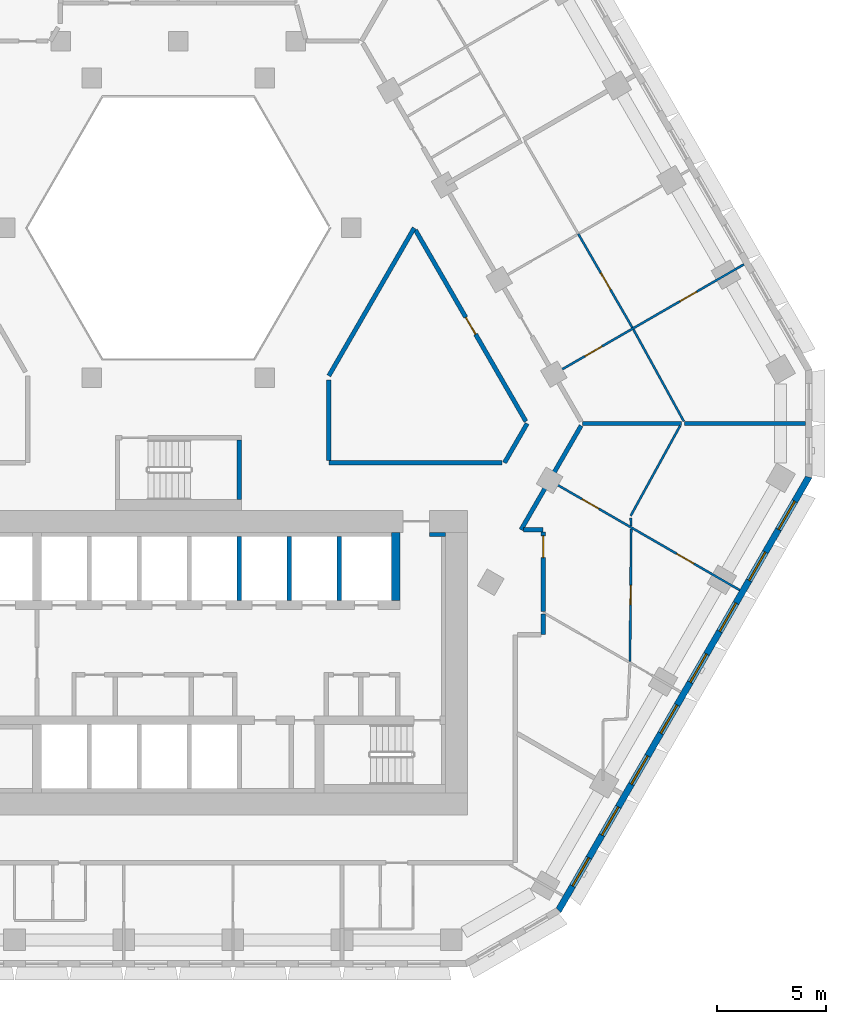
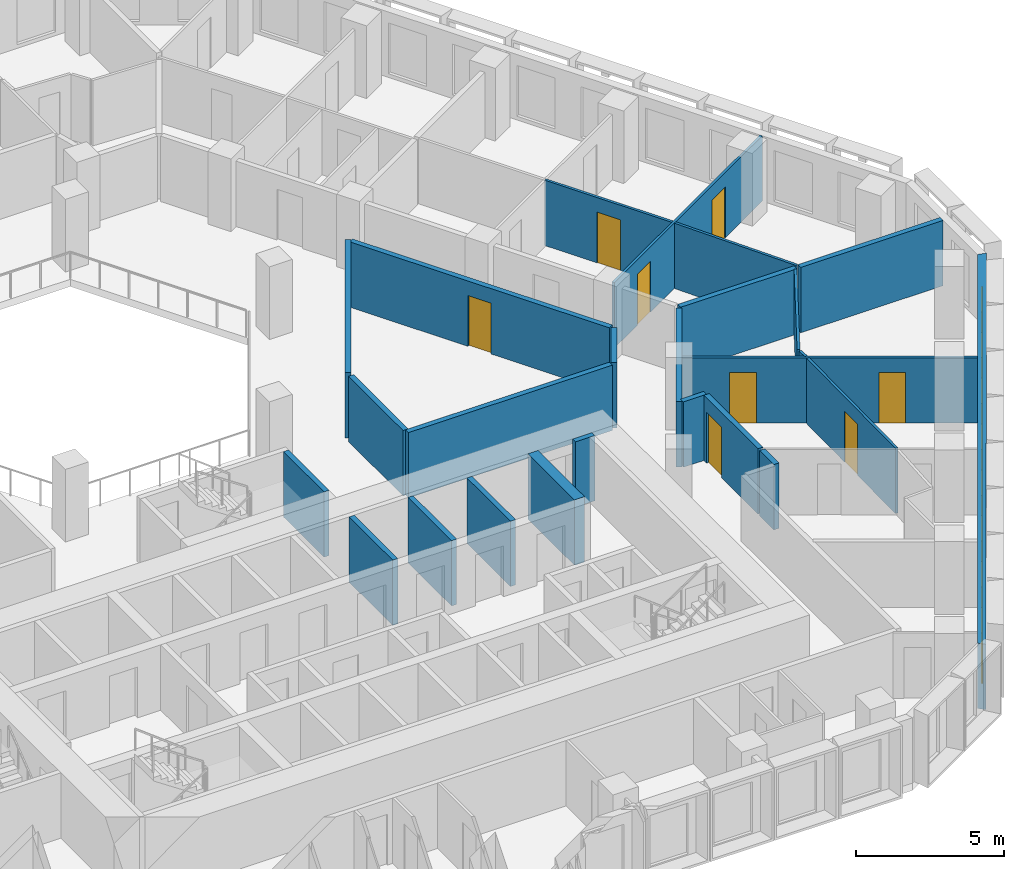
# One storey, part 7 of 18: 25 walls, 8 doors, 8 windows, 16 openings.
"""IFC4 building model written with IfcOpenShell, lengths in metres."""

from ifc_helpers import new_model, si_unit, direction, frame, frame_2d, origin, place, context, subcontext, project, spatial, polyline, rectangle, outline, extrude, material, layer, layer_set, type_object, element, fill, save


model = new_model("IFC4")

# Units and contexts
model_context = context("Model", 3, precision=1e-05, world=origin(), true_north=direction((0.0, 1.0)))
body_context = subcontext(model_context, "Body", "Model", "MODEL_VIEW")
ifc_project = project(units=[si_unit("LENGTHUNIT", "METRE"), si_unit("AREAUNIT", "SQUARE_METRE"), si_unit("VOLUMEUNIT", "CUBIC_METRE"), si_unit("PLANEANGLEUNIT", "RADIAN"), si_unit("MASSUNIT", "GRAM", prefix="KILO")], contexts=[model_context])

# Site, building, storey
site_placement = place(None, origin())
site = spatial("IfcSite", under=ifc_project, at=site_placement, CompositionType="ELEMENT")
building_placement = place(site_placement, origin())
building = spatial("IfcBuilding", under=site, at=building_placement, Name="Beryl Residences", CompositionType="ELEMENT")
storey_placement = place(building_placement, frame((0.0, 0.0, 93.0)))
storey = spatial("IfcBuildingStorey", under=building, at=storey_placement, Name="L28", CompositionType="ELEMENT", Elevation=93.0)

# Wall, openings, windows
ifc_material_1 = material(Name="Composite metal panel with mineral wool insulation")
ifc_layer_1 = layer(ifc_material_1, 0.300048828125)
ifc_layer_set_1 = layer_set([ifc_layer_1], Name="ES1 pale metal composite panel wall 300 mm")
wall_type_1 = type_object("IfcWallType", Name="ES1 pale metal composite panel wall 300 mm", PredefinedType="SOLIDWALL", material=ifc_layer_set_1)
wall_1_placement = place(storey_placement, frame((17.47900390625, -23.425048828125, 0.0), z_axis=(0.0, 0.0, 1.0), x_axis=(0.500035407905, 0.866004960056, 0.0)))
wall_1 = element("IfcWall", 1, at=wall_1_placement, inside=storey, type_object=wall_type_1, Name="ES1 external wall L28 SE", PredefinedType="SOLIDWALL", context=body_context, shape_type="SweptSolid", body=[
    extrude(outline(polyline([(0.0, -0.14990234375), (23.094482421875, -0.14990234375), (23.01416015625, 0.14990234375), (0.080322265625, 0.14990234375), (0.0, -0.14990234375)])), origin(), (0.0, 0.0, 1.0), 2.699951171875),
])
opening_1_placement = place(wall_1_placement, frame((1.323974609375, 0.0, 0.14990234375)))
opening_1 = element("IfcOpeningElement", 2, at=opening_1_placement, cuts=wall_1, Name="Opening W1", PredefinedType="OPENING", context=body_context, shape_type="SweptSolid", body=[
    extrude(rectangle(XDim=1.5, YDim=2.10009765625, at=frame_2d((0.75, 1.050048828125))), frame((0.0, 0.159912109375, 0.0), z_axis=(0.0, -1.0, 0.0), x_axis=(1.0, 0.0, 0.0)), (0.0, 0.0, 1.0), 0.320068359375),
])
opening_2_placement = place(wall_1_placement, frame((4.031005859375, 0.0, 0.14990234375)))
opening_2 = element("IfcOpeningElement", 3, at=opening_2_placement, cuts=wall_1, Name="Opening W1", PredefinedType="OPENING", context=body_context, shape_type="SweptSolid", body=[
    extrude(rectangle(XDim=1.5, YDim=2.10009765625, at=frame_2d((0.75, 1.050048828125))), frame((0.0, 0.159912109375, 0.0), z_axis=(0.0, -1.0, 0.0), x_axis=(1.0, 0.0, 0.0)), (0.0, 0.0, 1.0), 0.320068359375),
])
opening_3_placement = place(wall_1_placement, frame((6.737060546875, 0.0, 0.14990234375)))
opening_3 = element("IfcOpeningElement", 4, at=opening_3_placement, cuts=wall_1, Name="Opening W1", PredefinedType="OPENING", context=body_context, shape_type="SweptSolid", body=[
    extrude(rectangle(XDim=1.5, YDim=2.10009765625, at=frame_2d((0.75, 1.050048828125))), frame((0.0, 0.159912109375, 0.0), z_axis=(0.0, -1.0, 0.0), x_axis=(1.0, 0.0, 0.0)), (0.0, 0.0, 1.0), 0.320068359375),
])
opening_4_placement = place(wall_1_placement, frame((9.444091796875, 0.0, 0.14990234375)))
opening_4 = element("IfcOpeningElement", 5, at=opening_4_placement, cuts=wall_1, Name="Opening W1", PredefinedType="OPENING", context=body_context, shape_type="SweptSolid", body=[
    extrude(rectangle(XDim=1.5, YDim=2.10009765625, at=frame_2d((0.75, 1.050048828125))), frame((0.0, 0.159912109375, 0.0), z_axis=(0.0, -1.0, 0.0), x_axis=(1.0, 0.0, 0.0)), (0.0, 0.0, 1.0), 0.320068359375),
])
opening_5_placement = place(wall_1_placement, frame((12.15087890625, 0.0, 0.14990234375)))
opening_5 = element("IfcOpeningElement", 6, at=opening_5_placement, cuts=wall_1, Name="Opening W1", PredefinedType="OPENING", context=body_context, shape_type="SweptSolid", body=[
    extrude(rectangle(XDim=1.5, YDim=2.10009765625, at=frame_2d((0.75, 1.050048828125))), frame((0.0, 0.159912109375, 0.0), z_axis=(0.0, -1.0, 0.0), x_axis=(1.0, 0.0, 0.0)), (0.0, 0.0, 1.0), 0.320068359375),
])
opening_6_placement = place(wall_1_placement, frame((14.85693359375, 0.0, 0.14990234375)))
opening_6 = element("IfcOpeningElement", 7, at=opening_6_placement, cuts=wall_1, Name="Opening W1", PredefinedType="OPENING", context=body_context, shape_type="SweptSolid", body=[
    extrude(rectangle(XDim=1.5, YDim=2.10009765625, at=frame_2d((0.75, 1.050048828125))), frame((0.0, 0.159912109375, 0.0), z_axis=(0.0, -1.0, 0.0), x_axis=(1.0, 0.0, 0.0)), (0.0, 0.0, 1.0), 0.320068359375),
])
opening_7_placement = place(wall_1_placement, frame((17.56396484375, 0.0, 0.14990234375)))
opening_7 = element("IfcOpeningElement", 8, at=opening_7_placement, cuts=wall_1, Name="Opening W1", PredefinedType="OPENING", context=body_context, shape_type="SweptSolid", body=[
    extrude(rectangle(XDim=1.5, YDim=2.10009765625, at=frame_2d((0.75, 1.050048828125))), frame((0.0, 0.159912109375, 0.0), z_axis=(0.0, -1.0, 0.0), x_axis=(1.0, 0.0, 0.0)), (0.0, 0.0, 1.0), 0.320068359375),
])
opening_8_placement = place(wall_1_placement, frame((20.27099609375, 0.0, 0.14990234375)))
opening_8 = element("IfcOpeningElement", 9, at=opening_8_placement, cuts=wall_1, Name="Opening W1", PredefinedType="OPENING", context=body_context, shape_type="SweptSolid", body=[
    extrude(rectangle(XDim=1.5, YDim=2.10009765625, at=frame_2d((0.75, 1.050048828125))), frame((0.0, 0.159912109375, 0.0), z_axis=(0.0, -1.0, 0.0), x_axis=(1.0, 0.0, 0.0)), (0.0, 0.0, 1.0), 0.320068359375),
])
ifc_material_2 = material(Name="Aluminium and clear glass", Category="aluminium")
window_type = type_object("IfcWindowType", Name="W1 cell window 1500 x 2100 mm", PartitioningType="SINGLE_PANEL", PredefinedType="WINDOW", material=ifc_material_2)
window_1_placement = place(opening_1_placement, origin())
window_1 = element("IfcWindow", 10, at=window_1_placement, inside=storey, type_object=window_type, Name="W1 window L28 SE 1", OverallHeight=2.10009765625, OverallWidth=1.5, PartitioningType="SINGLE_PANEL", PredefinedType="WINDOW", context=body_context, shape_type="SweptSolid", body=[
    extrude(rectangle(XDim=1.5, YDim=2.10009765625, at=frame_2d((0.75, 1.050048828125))), frame((0.0, 0.030029296875, 0.0), z_axis=(0.0, -1.0, 0.0), x_axis=(1.0, 0.0, 0.0)), (0.0, 0.0, 1.0), 0.06005859375),
])
fill(opening_1, window_1)
window_2_placement = place(opening_2_placement, origin())
window_2 = element("IfcWindow", 11, at=window_2_placement, inside=storey, type_object=window_type, Name="W1 window L28 SE 2", OverallHeight=2.10009765625, OverallWidth=1.5, PartitioningType="SINGLE_PANEL", PredefinedType="WINDOW", context=body_context, shape_type="SweptSolid", body=[
    extrude(rectangle(XDim=1.5, YDim=2.10009765625, at=frame_2d((0.75, 1.050048828125))), frame((0.0, 0.030029296875, 0.0), z_axis=(0.0, -1.0, 0.0), x_axis=(1.0, 0.0, 0.0)), (0.0, 0.0, 1.0), 0.06005859375),
])
fill(opening_2, window_2)
window_3_placement = place(opening_3_placement, origin())
window_3 = element("IfcWindow", 12, at=window_3_placement, inside=storey, type_object=window_type, Name="W1 window L28 SE 3", OverallHeight=2.10009765625, OverallWidth=1.5, PartitioningType="SINGLE_PANEL", PredefinedType="WINDOW", context=body_context, shape_type="SweptSolid", body=[
    extrude(rectangle(XDim=1.5, YDim=2.10009765625, at=frame_2d((0.75, 1.050048828125))), frame((0.0, 0.030029296875, 0.0), z_axis=(0.0, -1.0, 0.0), x_axis=(1.0, 0.0, 0.0)), (0.0, 0.0, 1.0), 0.06005859375),
])
fill(opening_3, window_3)
window_4_placement = place(opening_4_placement, origin())
window_4 = element("IfcWindow", 13, at=window_4_placement, inside=storey, type_object=window_type, Name="W1 window L28 SE 4", OverallHeight=2.10009765625, OverallWidth=1.5, PartitioningType="SINGLE_PANEL", PredefinedType="WINDOW", context=body_context, shape_type="SweptSolid", body=[
    extrude(rectangle(XDim=1.5, YDim=2.10009765625, at=frame_2d((0.75, 1.050048828125))), frame((0.0, 0.030029296875, 0.0), z_axis=(0.0, -1.0, 0.0), x_axis=(1.0, 0.0, 0.0)), (0.0, 0.0, 1.0), 0.06005859375),
])
fill(opening_4, window_4)
window_5_placement = place(opening_5_placement, origin())
window_5 = element("IfcWindow", 14, at=window_5_placement, inside=storey, type_object=window_type, Name="W1 window L28 SE 5", OverallHeight=2.10009765625, OverallWidth=1.5, PartitioningType="SINGLE_PANEL", PredefinedType="WINDOW", context=body_context, shape_type="SweptSolid", body=[
    extrude(rectangle(XDim=1.5, YDim=2.10009765625, at=frame_2d((0.75, 1.050048828125))), frame((0.0, 0.030029296875, 0.0), z_axis=(0.0, -1.0, 0.0), x_axis=(1.0, 0.0, 0.0)), (0.0, 0.0, 1.0), 0.06005859375),
])
fill(opening_5, window_5)
window_6_placement = place(opening_6_placement, origin())
window_6 = element("IfcWindow", 15, at=window_6_placement, inside=storey, type_object=window_type, Name="W1 window L28 SE 6", OverallHeight=2.10009765625, OverallWidth=1.5, PartitioningType="SINGLE_PANEL", PredefinedType="WINDOW", context=body_context, shape_type="SweptSolid", body=[
    extrude(rectangle(XDim=1.5, YDim=2.10009765625, at=frame_2d((0.75, 1.050048828125))), frame((0.0, 0.030029296875, 0.0), z_axis=(0.0, -1.0, 0.0), x_axis=(1.0, 0.0, 0.0)), (0.0, 0.0, 1.0), 0.06005859375),
])
fill(opening_6, window_6)
window_7_placement = place(opening_7_placement, origin())
window_7 = element("IfcWindow", 16, at=window_7_placement, inside=storey, type_object=window_type, Name="W1 window L28 SE 7", OverallHeight=2.10009765625, OverallWidth=1.5, PartitioningType="SINGLE_PANEL", PredefinedType="WINDOW", context=body_context, shape_type="SweptSolid", body=[
    extrude(rectangle(XDim=1.5, YDim=2.10009765625, at=frame_2d((0.75, 1.050048828125))), frame((0.0, 0.030029296875, 0.0), z_axis=(0.0, -1.0, 0.0), x_axis=(1.0, 0.0, 0.0)), (0.0, 0.0, 1.0), 0.06005859375),
])
fill(opening_7, window_7)
window_8_placement = place(opening_8_placement, origin())
window_8 = element("IfcWindow", 17, at=window_8_placement, inside=storey, type_object=window_type, Name="W1 window L28 SE 8", OverallHeight=2.10009765625, OverallWidth=1.5, PartitioningType="SINGLE_PANEL", PredefinedType="WINDOW", context=body_context, shape_type="SweptSolid", body=[
    extrude(rectangle(XDim=1.5, YDim=2.10009765625, at=frame_2d((0.75, 1.050048828125))), frame((0.0, 0.030029296875, 0.0), z_axis=(0.0, -1.0, 0.0), x_axis=(1.0, 0.0, 0.0)), (0.0, 0.0, 1.0), 0.06005859375),
])
fill(opening_8, window_8)

# Walls
ifc_material_3 = material(Name="Gypsum board partition on steel studs", Category="steel")
ifc_layer_2 = layer(ifc_material_3, 0.10009765625)
ifc_layer_set_2 = layer_set([ifc_layer_2], Name="PT1 partition 100 mm gypsum board on steel studs")
wall_type_2 = type_object("IfcWallType", Name="PT1 partition 100 mm gypsum board on steel studs", PredefinedType="PARTITIONING", material=ifc_layer_set_2)
wall_2_placement = place(storey_placement, frame((20.93896484375, 3.3310546875, 0.0), z_axis=(0.0, 0.0, 1.0), x_axis=(0.481207738216, -0.876606589458, 0.0)))
element("IfcWall", 18, at=wall_2_placement, inside=storey, type_object=wall_type_2, Name="Wall PT1 L28 005", PredefinedType="PARTITIONING", context=body_context, shape_type="SweptSolid", body=[
    extrude(rectangle(XDim=4.825439453125, YDim=0.10009765625, at=frame_2d((2.41259765625, 0.0))), origin(), (0.0, 0.0, 1.0), 2.699951171875),
])
wall_3_placement = place(storey_placement, frame((20.81591796875, -5.343017578125, 0.0), z_axis=(0.0, 0.0, 1.0), x_axis=(0.05045379463, -0.99872639627, 0.0)))
element("IfcWall", 19, at=wall_3_placement, inside=storey, type_object=wall_type_2, Name="Wall PT1 L28 008", PredefinedType="PARTITIONING", context=body_context, shape_type="SweptSolid", body=[
    extrude(rectangle(XDim=0.37744140625, YDim=0.10009765625, at=frame_2d((0.188720703125, 0.0))), origin(), (0.0, 0.0, 1.0), 2.699951171875),
])

# Wall, openings, doors
wall_4_placement = place(storey_placement, frame((17.1689453125, -3.662109375, 0.0), z_axis=(0.0, 0.0, 1.0), x_axis=(0.866047370643, -0.499961950354, 0.0)))
wall_4 = element("IfcWall", 20, at=wall_4_placement, inside=storey, type_object=wall_type_2, Name="Wall PT1 L28 023", PredefinedType="PARTITIONING", context=body_context, shape_type="SweptSolid", body=[
    extrude(rectangle(XDim=10.000732421875, YDim=0.10009765625, at=frame_2d((5.00048828125, 0.0))), origin(), (0.0, 0.0, 1.0), 2.699951171875),
])
opening_9_placement = place(wall_4_placement, frame((1.617919921875, 0.0, 0.0)))
opening_9 = element("IfcOpeningElement", 21, at=opening_9_placement, cuts=wall_4, Name="Opening D0718", PredefinedType="OPENING", context=body_context, shape_type="SweptSolid", body=[
    extrude(rectangle(XDim=0.89990234375, YDim=2.10009765625, at=frame_2d((0.449951171875, 1.050048828125))), frame((0.0, 0.06005859375, 0.0), z_axis=(0.0, -1.0, 0.0), x_axis=(1.0, 0.0, 0.0)), (0.0, 0.0, 1.0), 0.1201171875),
])
opening_10_placement = place(wall_4_placement, frame((6.66796875, 0.0, 0.0)))
opening_10 = element("IfcOpeningElement", 22, at=opening_10_placement, cuts=wall_4, Name="Opening D0719", PredefinedType="OPENING", context=body_context, shape_type="SweptSolid", body=[
    extrude(rectangle(XDim=0.89990234375, YDim=2.10009765625, at=frame_2d((0.449951171875, 1.050048828125))), frame((0.0, 0.06005859375, 0.0), z_axis=(0.0, -1.0, 0.0), x_axis=(1.0, 0.0, 0.0)), (0.0, 0.0, 1.0), 0.1201171875),
])
ifc_material_4 = material(Name="Timber door leaf", Category="wood")
door_type_1 = type_object("IfcDoorType", Name="D2 room door 900 x 2100 mm", OperationType="SINGLE_SWING_LEFT", PredefinedType="DOOR", material=ifc_material_4)
door_1_placement = place(opening_9_placement, origin())
door_1 = element("IfcDoor", 23, at=door_1_placement, inside=storey, type_object=door_type_1, Name="Door D0718 L28 001", OperationType="SINGLE_SWING_RIGHT", OverallHeight=2.10009765625, OverallWidth=0.89990234375, PredefinedType="DOOR", context=body_context, shape_type="SweptSolid", body=[
    extrude(rectangle(XDim=0.89990234375, YDim=2.10009765625, at=frame_2d((0.449951171875, 1.050048828125))), frame((0.0, 0.02490234375, 0.0), z_axis=(0.0, -1.0, 0.0), x_axis=(1.0, 0.0, 0.0)), (0.0, 0.0, 1.0), 0.050048828125),
])
fill(opening_9, door_1)
door_2_placement = place(opening_10_placement, origin())
door_2 = element("IfcDoor", 24, at=door_2_placement, inside=storey, type_object=door_type_1, Name="Door D0719 L28 001", OperationType="SINGLE_SWING_LEFT", OverallHeight=2.10009765625, OverallWidth=0.89990234375, PredefinedType="DOOR", context=body_context, shape_type="SweptSolid", body=[
    extrude(rectangle(XDim=0.89990234375, YDim=2.10009765625, at=frame_2d((0.449951171875, 1.050048828125))), frame((0.0, 0.02490234375, 0.0), z_axis=(0.0, -1.0, 0.0), x_axis=(1.0, 0.0, 0.0)), (0.0, 0.0, 1.0), 0.050048828125),
])
fill(opening_10, door_2)

# Wall
wall_5_placement = place(storey_placement, frame((20.81201171875, -5.248046875, 0.0), z_axis=(0.0, 0.0, 1.0), x_axis=(0.481296891345, 0.876557643502, 0.0)))
element("IfcWall", 25, at=wall_5_placement, inside=storey, type_object=wall_type_2, Name="Wall PT1 L28 033", PredefinedType="PARTITIONING", context=body_context, shape_type="SweptSolid", body=[
    extrude(rectangle(XDim=4.733154296875, YDim=0.10009765625, at=frame_2d((2.36669921875, 0.0))), origin(), (0.0, 0.0, 1.0), 2.699951171875),
])

# Wall, opening, door
wall_6_placement = place(storey_placement, frame((20.781005859375, -11.93994140625, 0.0), z_axis=(0.0, 0.0, 1.0), x_axis=(0.009329670416, 0.999956477678, 0.0)))
wall_6 = element("IfcWall", 26, at=wall_6_placement, inside=storey, type_object=wall_type_2, Name="Wall PT1 L28 039", PredefinedType="PARTITIONING", context=body_context, shape_type="SweptSolid", body=[
    extrude(rectangle(XDim=6.09716796875, YDim=0.10009765625, at=frame_2d((3.048583984375, 0.0))), origin(), (0.0, 0.0, 1.0), 2.699951171875),
])
opening_11_placement = place(wall_6_placement, frame((2.60107421875, 0.0, 0.0)))
opening_11 = element("IfcOpeningElement", 27, at=opening_11_placement, cuts=wall_6, Name="Opening D0716", PredefinedType="OPENING", context=body_context, shape_type="SweptSolid", body=[
    extrude(rectangle(XDim=0.89990234375, YDim=2.10009765625, at=frame_2d((0.449951171875, 1.050048828125))), frame((0.0, 0.06005859375, 0.0), z_axis=(0.0, -1.0, 0.0), x_axis=(1.0, 0.0, 0.0)), (0.0, 0.0, 1.0), 0.1201171875),
])
door_3_placement = place(opening_11_placement, origin())
door_3 = element("IfcDoor", 28, at=door_3_placement, inside=storey, type_object=door_type_1, Name="Door D0716 L28 001", OperationType="SINGLE_SWING_RIGHT", OverallHeight=2.10009765625, OverallWidth=0.89990234375, PredefinedType="DOOR", context=body_context, shape_type="SweptSolid", body=[
    extrude(rectangle(XDim=0.89990234375, YDim=2.10009765625, at=frame_2d((0.449951171875, 1.050048828125))), frame((0.0, 0.02490234375, 0.0), z_axis=(0.0, -1.0, 0.0), x_axis=(1.0, 0.0, 0.0)), (0.0, 0.0, 1.0), 0.050048828125),
])
fill(opening_11, door_3)

# Wall, openings, doors
wall_7_placement = place(storey_placement, frame((17.364990234375, 1.324951171875, 0.0), z_axis=(0.0, 0.0, 1.0), x_axis=(0.866016855193, 0.500014806302, 0.0)))
wall_7 = element("IfcWall", 29, at=wall_7_placement, inside=storey, type_object=wall_type_2, Name="Wall PT1 L28 052", PredefinedType="PARTITIONING", context=body_context, shape_type="SweptSolid", body=[
    extrude(rectangle(XDim=9.999755859375, YDim=0.10009765625, at=frame_2d((5.0, 0.0))), origin(), (0.0, 0.0, 1.0), 2.699951171875),
])
opening_12_placement = place(wall_7_placement, frame((1.550048828125, 0.0, 0.0)))
opening_12 = element("IfcOpeningElement", 30, at=opening_12_placement, cuts=wall_7, Name="Opening D0724", PredefinedType="OPENING", context=body_context, shape_type="SweptSolid", body=[
    extrude(rectangle(XDim=0.89990234375, YDim=2.10009765625, at=frame_2d((0.449951171875, 1.050048828125))), frame((0.0, 0.06005859375, 0.0), z_axis=(0.0, -1.0, 0.0), x_axis=(1.0, 0.0, 0.0)), (0.0, 0.0, 1.0), 0.1201171875),
])
opening_13_placement = place(wall_7_placement, frame((6.60009765625, 0.0, 0.0)))
opening_13 = element("IfcOpeningElement", 31, at=opening_13_placement, cuts=wall_7, Name="Opening D0725", PredefinedType="OPENING", context=body_context, shape_type="SweptSolid", body=[
    extrude(rectangle(XDim=0.89990234375, YDim=2.10009765625, at=frame_2d((0.449951171875, 1.050048828125))), frame((0.0, 0.06005859375, 0.0), z_axis=(0.0, -1.0, 0.0), x_axis=(1.0, 0.0, 0.0)), (0.0, 0.0, 1.0), 0.1201171875),
])
door_4_placement = place(opening_12_placement, origin())
door_4 = element("IfcDoor", 32, at=door_4_placement, inside=storey, type_object=door_type_1, Name="Door D0724 L28 001", OperationType="SINGLE_SWING_RIGHT", OverallHeight=2.10009765625, OverallWidth=0.89990234375, PredefinedType="DOOR", context=body_context, shape_type="SweptSolid", body=[
    extrude(rectangle(XDim=0.89990234375, YDim=2.10009765625, at=frame_2d((0.449951171875, 1.050048828125))), frame((0.0, 0.02490234375, 0.0), z_axis=(0.0, -1.0, 0.0), x_axis=(1.0, 0.0, 0.0)), (0.0, 0.0, 1.0), 0.050048828125),
])
fill(opening_12, door_4)
door_5_placement = place(opening_13_placement, origin())
door_5 = element("IfcDoor", 33, at=door_5_placement, inside=storey, type_object=door_type_1, Name="Door D0725 L28 001", OperationType="SINGLE_SWING_LEFT", OverallHeight=2.10009765625, OverallWidth=0.89990234375, PredefinedType="DOOR", context=body_context, shape_type="SweptSolid", body=[
    extrude(rectangle(XDim=0.89990234375, YDim=2.10009765625, at=frame_2d((0.449951171875, 1.050048828125))), frame((0.0, 0.02490234375, 0.0), z_axis=(0.0, -1.0, 0.0), x_axis=(1.0, 0.0, 0.0)), (0.0, 0.0, 1.0), 0.050048828125),
])
fill(opening_13, door_5)

# Wall, opening, door
wall_8_placement = place(storey_placement, frame((18.403076171875, 7.72509765625, 0.0), z_axis=(0.0, 0.0, 1.0), x_axis=(0.500014231302, -0.866017187182, 0.0)))
wall_8 = element("IfcWall", 34, at=wall_8_placement, inside=storey, type_object=wall_type_2, Name="Wall PT1 L28 061", PredefinedType="PARTITIONING", context=body_context, shape_type="SweptSolid", body=[
    extrude(rectangle(XDim=4.973388671875, YDim=0.10009765625, at=frame_2d((2.48681640625, 0.0))), origin(), (0.0, 0.0, 1.0), 2.699951171875),
])
opening_14_placement = place(wall_8_placement, frame((2.06103515625, 0.0, 0.0)))
opening_14 = element("IfcOpeningElement", 35, at=opening_14_placement, cuts=wall_8, Name="Opening D0722", PredefinedType="OPENING", context=body_context, shape_type="SweptSolid", body=[
    extrude(rectangle(XDim=0.89990234375, YDim=2.10009765625, at=frame_2d((0.449951171875, 1.050048828125))), frame((0.0, 0.06005859375, 0.0), z_axis=(0.0, -1.0, 0.0), x_axis=(1.0, 0.0, 0.0)), (0.0, 0.0, 1.0), 0.1201171875),
])
door_6_placement = place(opening_14_placement, origin())
door_6 = element("IfcDoor", 36, at=door_6_placement, inside=storey, type_object=door_type_1, Name="Door D0722 L28 001", OperationType="SINGLE_SWING_RIGHT", OverallHeight=2.10009765625, OverallWidth=0.89990234375, PredefinedType="DOOR", context=body_context, shape_type="SweptSolid", body=[
    extrude(rectangle(XDim=0.89990234375, YDim=2.10009765625, at=frame_2d((0.449951171875, 1.050048828125))), frame((0.0, 0.02490234375, 0.0), z_axis=(0.0, -1.0, 0.0), x_axis=(1.0, 0.0, 0.0)), (0.0, 0.0, 1.0), 0.050048828125),
])
fill(opening_14, door_6)

# Walls
ifc_material_5 = material(Name="Concrete masonry", Category="masonry")
ifc_layer_3 = layer(ifc_material_5, 0.199951171875)
ifc_layer_set_3 = layer_set([ifc_layer_3], Name="PT13 lobby wall 200 mm")
wall_type_3 = type_object("IfcWallType", Name="PT13 lobby wall 200 mm", PredefinedType="PARTITIONING", material=ifc_layer_set_3)
wall_9_placement = place(storey_placement, frame((11.550048828125, -6.10009765625, 0.0), z_axis=(0.0, 0.0, 1.0), x_axis=(1.0, 0.0, 0.0)))
element("IfcWall", 37, at=wall_9_placement, inside=storey, type_object=wall_type_3, Name="Lobby wall 35", PredefinedType="PARTITIONING", context=body_context, shape_type="SweptSolid", body=[
    extrude(rectangle(XDim=0.75, YDim=0.199951171875, at=frame_2d((0.375, 0.0))), origin(), (0.0, 0.0, 1.0), 2.699951171875),
])
ifc_material_6 = material(Name="Acoustic double stud gypsum board wall")
ifc_layer_4 = layer(ifc_material_6, 0.199951171875)
ifc_layer_set_4 = layer_set([ifc_layer_4], Name="PT3 party wall 200 mm acoustic double stud")
wall_type_4 = type_object("IfcWallType", Name="PT3 party wall 200 mm acoustic double stud", PredefinedType="PARTITIONING", material=ifc_layer_set_4)
wall_10_placement = place(storey_placement, frame((18.591064453125, -0.9990234375, 0.0), z_axis=(0.0, 0.0, 1.0), x_axis=(1.0, 0.0, 0.0)))
element("IfcWall", 38, at=wall_10_placement, inside=storey, type_object=wall_type_4, Name="Wall PT3 L28 010", PredefinedType="PARTITIONING", context=body_context, shape_type="SweptSolid", body=[
    extrude(rectangle(XDim=4.553955078125, YDim=0.199951171875, at=frame_2d((2.27685546875, 0.0))), origin(), (0.0, 0.0, 1.0), 2.699951171875),
])
wall_11_placement = place(storey_placement, frame((23.2939453125, -0.9990234375, 0.0), z_axis=(0.0, 0.0, 1.0), x_axis=(1.0, 0.0, 0.0)))
element("IfcWall", 39, at=wall_11_placement, inside=storey, type_object=wall_type_4, Name="Wall PT3 L28 011", PredefinedType="PARTITIONING", context=body_context, shape_type="SweptSolid", body=[
    extrude(rectangle(XDim=5.56298828125, YDim=0.199951171875, at=frame_2d((2.781494140625, 0.0))), origin(), (0.0, 0.0, 1.0), 2.699951171875),
])

# Wall, opening, door
ifc_material_7 = material(Name="Double stud gypsum board wall")
ifc_layer_5 = layer(ifc_material_7, 0.199951171875)
ifc_layer_set_5 = layer_set([ifc_layer_5], Name="PT4 corridor wall 200 mm double stud")
wall_type_5 = type_object("IfcWallType", Name="PT4 corridor wall 200 mm double stud", PredefinedType="PARTITIONING", material=ifc_layer_set_5)
wall_12_placement = place(storey_placement, frame((10.9130859375, 7.89892578125, 0.0), z_axis=(0.0, 0.0, 1.0), x_axis=(0.500028940566, -0.866008694296, 0.0)))
wall_12 = element("IfcWall", 40, at=wall_12_placement, inside=storey, type_object=wall_type_5, Name="Wall PT4 L28 006", PredefinedType="PARTITIONING", context=body_context, shape_type="SweptSolid", body=[
    extrude(rectangle(XDim=10.1591796875, YDim=0.199951171875, at=frame_2d((5.07958984375, 0.0))), origin(), (0.0, 0.0, 1.0), 2.699951171875),
])
opening_15_placement = place(wall_12_placement, frame((4.6298828125, 0.0, 0.0)))
opening_15 = element("IfcOpeningElement", 41, at=opening_15_placement, cuts=wall_12, Name="Opening D0760", PredefinedType="OPENING", context=body_context, shape_type="SweptSolid", body=[
    extrude(rectangle(XDim=0.89990234375, YDim=2.10009765625, at=frame_2d((0.449951171875, 1.050048828125))), frame((0.0, 0.10986328125, 0.0), z_axis=(0.0, -1.0, 0.0), x_axis=(1.0, 0.0, 0.0)), (0.0, 0.0, 1.0), 0.219970703125),
])
door_7_placement = place(opening_15_placement, origin())
door_7 = element("IfcDoor", 42, at=door_7_placement, inside=storey, type_object=door_type_1, Name="Door D0760 L28 001", OperationType="SINGLE_SWING_RIGHT", OverallHeight=2.10009765625, OverallWidth=0.89990234375, PredefinedType="DOOR", context=body_context, shape_type="SweptSolid", body=[
    extrude(rectangle(XDim=0.89990234375, YDim=2.10009765625, at=frame_2d((0.449951171875, 1.050048828125))), frame((0.0, 0.02490234375, 0.0), z_axis=(0.0, -1.0, 0.0), x_axis=(1.0, 0.0, 0.0)), (0.0, 0.0, 1.0), 0.050048828125),
])
fill(opening_15, door_7)

# Wall
wall_13_placement = place(storey_placement, frame((6.927978515625, 1.0, 0.0), z_axis=(0.0, 0.0, 1.0), x_axis=(0.0, -1.0, 0.0)))
element("IfcWall", 43, at=wall_13_placement, inside=storey, type_object=wall_type_5, Name="Wall PT4 L28 010", PredefinedType="PARTITIONING", context=body_context, shape_type="SweptSolid", body=[
    extrude(rectangle(XDim=3.698974609375, YDim=0.199951171875, at=frame_2d((1.849609375, 0.0))), origin(), (0.0, 0.0, 1.0), 2.699951171875),
])

# Wall, opening, door
wall_14_placement = place(storey_placement, frame((16.791015625, -5.985107421875, 0.0), z_axis=(0.0, 0.0, 1.0), x_axis=(0.0, -1.0, 0.0)))
wall_14 = element("IfcWall", 44, at=wall_14_placement, inside=storey, type_object=wall_type_5, Name="Wall PT4 L28 011", PredefinedType="PARTITIONING", context=body_context, shape_type="SweptSolid", body=[
    extrude(rectangle(XDim=3.65087890625, YDim=0.199951171875, at=frame_2d((1.825439453125, 0.0))), origin(), (0.0, 0.0, 1.0), 2.699951171875),
])
opening_16_placement = place(wall_14_placement, frame((0.18310546875, 0.0, 0.0)))
opening_16 = element("IfcOpeningElement", 45, at=opening_16_placement, cuts=wall_14, Name="Opening D0715", PredefinedType="OPENING", context=body_context, shape_type="SweptSolid", body=[
    extrude(rectangle(XDim=1.0, YDim=2.10009765625, at=frame_2d((0.5, 1.050048828125))), frame((0.0, 0.10986328125, 0.0), z_axis=(0.0, -1.0, 0.0), x_axis=(1.0, 0.0, 0.0)), (0.0, 0.0, 1.0), 0.219970703125),
])
ifc_material_8 = material(Name="Timber door leaf", Category="wood")
door_type_2 = type_object("IfcDoorType", Name="D1 flat entrance door 1000 x 2100 mm", OperationType="SINGLE_SWING_LEFT", PredefinedType="DOOR", material=ifc_material_8)
door_8_placement = place(opening_16_placement, origin())
door_8 = element("IfcDoor", 46, at=door_8_placement, inside=storey, type_object=door_type_2, Name="Door D0715 L28 001", OperationType="SINGLE_SWING_LEFT", OverallHeight=2.10009765625, OverallWidth=1.0, PredefinedType="DOOR", context=body_context, shape_type="SweptSolid", body=[
    extrude(rectangle(XDim=1.0, YDim=2.10009765625, at=frame_2d((0.5, 1.050048828125))), frame((0.0, 0.02490234375, 0.0), z_axis=(0.0, -1.0, 0.0), x_axis=(1.0, 0.0, 0.0)), (0.0, 0.0, 1.0), 0.050048828125),
])
fill(opening_16, door_8)

# Walls
wall_15_placement = place(storey_placement, frame((15.886962890625, -5.885009765625, 0.0), z_axis=(0.0, 0.0, 1.0), x_axis=(1.0, 0.0, 0.0)))
element("IfcWall", 47, at=wall_15_placement, inside=storey, type_object=wall_type_5, Name="Wall PT4 L28 012", PredefinedType="PARTITIONING", context=body_context, shape_type="SweptSolid", body=[
    extrude(rectangle(XDim=0.904052734375, YDim=0.199951171875, at=frame_2d((0.4521484375, 0.0))), origin(), (0.0, 0.0, 1.0), 2.699951171875),
])
wall_16_placement = place(storey_placement, frame((6.928955078125, -2.800048828125, 0.0), z_axis=(0.0, 0.0, 1.0), x_axis=(1.0, 0.0, 0.0)))
element("IfcWall", 48, at=wall_16_placement, inside=storey, type_object=wall_type_5, Name="Wall PT4 L28 018", PredefinedType="PARTITIONING", context=body_context, shape_type="SweptSolid", body=[
    extrude(rectangle(XDim=7.966064453125, YDim=0.199951171875, at=frame_2d((3.98291015625, 0.0))), origin(), (0.0, 0.0, 1.0), 2.699951171875),
])
wall_17_placement = place(storey_placement, frame((6.927978515625, 1.199951171875, 0.0), z_axis=(0.0, 0.0, 1.0), x_axis=(0.500055327065, 0.865993458332, 0.0)))
element("IfcWall", 49, at=wall_17_placement, inside=storey, type_object=wall_type_5, Name="Wall PT4 L28 023", PredefinedType="PARTITIONING", context=body_context, shape_type="SweptSolid", body=[
    extrude(rectangle(XDim=7.85107421875, YDim=0.199951171875, at=frame_2d((3.925537109375, 0.0))), origin(), (0.0, 0.0, 1.0), 2.699951171875),
])
wall_18_placement = place(storey_placement, frame((15.010986328125, -2.800048828125, 0.0), z_axis=(0.0, 0.0, 1.0), x_axis=(0.499929208183, 0.866066271601, 0.0)))
element("IfcWall", 50, at=wall_18_placement, inside=storey, type_object=wall_type_5, Name="Wall PT4 L28 024", PredefinedType="PARTITIONING", context=body_context, shape_type="SweptSolid", body=[
    extrude(rectangle(XDim=2.078369140625, YDim=0.199951171875, at=frame_2d((1.0390625, 0.0))), origin(), (0.0, 0.0, 1.0), 2.699951171875),
])
wall_19_placement = place(storey_placement, frame((15.77099609375, -5.884033203125, 0.0), z_axis=(0.0, 0.0, 1.0), x_axis=(0.499917542299, 0.866073005526, 0.0)))
element("IfcWall", 51, at=wall_19_placement, inside=storey, type_object=wall_type_5, Name="Wall PT4 L28 025", PredefinedType="PARTITIONING", context=body_context, shape_type="SweptSolid", body=[
    extrude(rectangle(XDim=5.52490234375, YDim=0.199951171875, at=frame_2d((2.762451171875, 0.0))), origin(), (0.0, 0.0, 1.0), 2.699951171875),
])
wall_20_placement = place(storey_placement, frame((16.791015625, -10.715087890625, 0.0), z_axis=(0.0, 0.0, 1.0), x_axis=(0.0, 1.0, 0.0)))
element("IfcWall", 52, at=wall_20_placement, inside=storey, type_object=wall_type_5, Name="Wall PT4 L28 030", PredefinedType="PARTITIONING", context=body_context, shape_type="SweptSolid", body=[
    extrude(rectangle(XDim=0.963134765625, YDim=0.199951171875, at=frame_2d((0.4814453125, 0.0))), origin(), (0.0, 0.0, 1.0), 2.699951171875),
])
ifc_material_9 = material(Name="Concrete C40/50", Category="concrete")
ifc_layer_6 = layer(ifc_material_9, 0.199951171875)
ifc_layer_set_6 = layer_set([ifc_layer_6], Name="PT5 stair enclosure wall 200 mm reinforced concrete C40/50")
wall_type_6 = type_object("IfcWallType", Name="PT5 stair enclosure wall 200 mm reinforced concrete C40/50", PredefinedType="SOLIDWALL", material=ifc_layer_set_6)
wall_21_placement = place(storey_placement, frame((2.800048828125, -4.5, 0.0), z_axis=(0.0, 0.0, 1.0), x_axis=(0.0, 1.0, 0.0)))
element("IfcWall", 53, at=wall_21_placement, inside=storey, type_object=wall_type_6, Name="Wall PT5 L28 003", PredefinedType="SOLIDWALL", context=body_context, shape_type="SweptSolid", body=[
    extrude(rectangle(XDim=2.75, YDim=0.199951171875, at=frame_2d((1.375, 0.0))), origin(), (0.0, 0.0, 1.0), 2.699951171875),
])
ifc_material_10 = material(Name="Concrete C40/50", Category="concrete")
ifc_layer_7 = layer(ifc_material_10, 0.199951171875)
ifc_layer_set_7 = layer_set([ifc_layer_7], Name="PT6 lift shaft wall 200 mm reinforced concrete C40/50")
wall_type_7 = type_object("IfcWallType", Name="PT6 lift shaft wall 200 mm reinforced concrete C40/50", PredefinedType="SOLIDWALL", material=ifc_layer_set_7)
for number, where, z_axis, x_axis, name in (
    (54, (2.800048828125, -9.14990234375, 0.0), (0.0, 0.0, 1.0), (0.0, 1.0, 0.0), "Lift shaft wall 26"),
    (55, (5.10009765625, -9.14990234375, 0.0), (0.0, 0.0, 1.0), (0.0, 1.0, 0.0), "Lift shaft wall 27"),
    (56, (7.39990234375, -9.14990234375, 0.0), (0.0, 0.0, 1.0), (0.0, 1.0, 0.0), "Lift shaft wall 32"),
):
    element("IfcWall", number, at=place(storey_placement, frame(where, z_axis=z_axis, x_axis=x_axis)), inside=storey, type_object=wall_type_7, Name=name, PredefinedType="SOLIDWALL", context=body_context, shape_type="SweptSolid", body=[
        extrude(rectangle(XDim=2.949951171875, YDim=0.199951171875, at=frame_2d((1.47509765625, 0.0))), origin(), (0.0, 0.0, 1.0), 2.699951171875),
    ])
ifc_material_11 = material(Name="Concrete C70/85", Category="concrete")
ifc_layer_8 = layer(ifc_material_11, 0.39990234375)
ifc_layer_set_8 = layer_set([ifc_layer_8], Name="SW7 core internal wall 400 mm C70/85")
wall_type_8 = type_object("IfcWallType", Name="SW7 core internal wall 400 mm C70/85", PredefinedType="SHEAR", material=ifc_layer_set_8)
wall_22_placement = place(storey_placement, frame((10.0, -9.14990234375, 0.0), z_axis=(0.0, 0.0, 1.0), x_axis=(0.0, 1.0, 0.0)))
element("IfcWall", 57, at=wall_22_placement, inside=storey, type_object=wall_type_8, Name="Core wall XN2 L28", PredefinedType="SHEAR", context=body_context, shape_type="SweptSolid", body=[
    extrude(rectangle(XDim=3.14990234375, YDim=0.39990234375, at=frame_2d((1.574951171875, 0.0))), origin(), (0.0, 0.0, 1.0), 2.699951171875),
])

save(model, "model.ifc")
